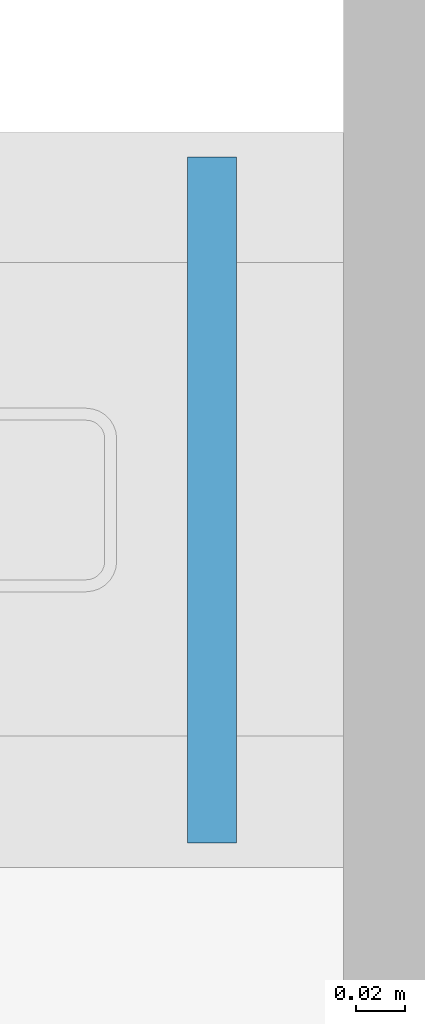
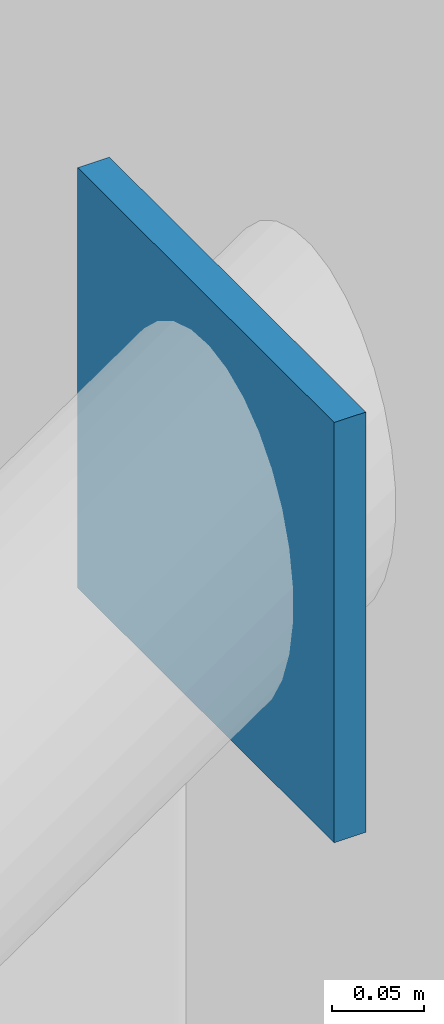
# One storey, part 37 of 49: 1 plate.
"""IFC4 building model written with IfcOpenShell, lengths in metres."""

from ifc_helpers import new_model, si_unit, direction, frame, origin, origin_2d, place, context, subcontext, project, spatial, rectangle, extrude, material, layer, layer_set, type_object, element, save


model = new_model("IFC4")

# Units and contexts
model_context = context("Model", 3, precision=1e-05, world=origin(), true_north=direction((0.0, 1.0)))
body_context = subcontext(model_context, "Body", "Model", "MODEL_VIEW")
ifc_project = project(units=[si_unit("LENGTHUNIT", "METRE"), si_unit("AREAUNIT", "SQUARE_METRE"), si_unit("VOLUMEUNIT", "CUBIC_METRE"), si_unit("PLANEANGLEUNIT", "RADIAN"), si_unit("MASSUNIT", "GRAM", prefix="KILO")], contexts=[model_context])

# Site, building, storey
site_placement = place(None, origin())
site = spatial("IfcSite", under=ifc_project, at=site_placement, CompositionType="ELEMENT")
building_placement = place(site_placement, origin())
building = spatial("IfcBuilding", under=site, at=building_placement, Name="Zulmaris Art Gallery", CompositionType="ELEMENT")
storey_placement = place(building_placement, frame((0.0, 0.0, 20.699951171875)))
storey = spatial("IfcBuildingStorey", under=building, at=storey_placement, Name="L04", CompositionType="ELEMENT", Elevation=20.699951171875)

# Plate
ifc_material = material(Name="Steel S355J2", Category="steel")
ifc_layer = layer(ifc_material, 0.02001953125)
ifc_layer_set = layer_set([ifc_layer], Name="Steel S355J2")
plate_type = type_object("IfcPlateType", Name="PLT-CP01", PredefinedType="USERDEFINED", material=ifc_layer_set)
plate_placement = place(storey_placement, frame((40.371337890625, 50.39990234375, 4.81591796875), z_axis=(0.0, 0.0, 1.0), x_axis=(1.0, 0.0, 0.0)))
element("IfcPlate", 1, at=plate_placement, inside=storey, type_object=plate_type, Name="Hollow-section end cap plate 72", ObjectType="CAP PLATE", PredefinedType="USERDEFINED", context=body_context, shape_type="SweptSolid", body=[
    extrude(rectangle(XDim=0.02001953125, YDim=0.280029296875, at=origin_2d()), origin(), (0.0, 0.0, 1.0), 0.280029296875),
])

save(model, "model.ifc")
